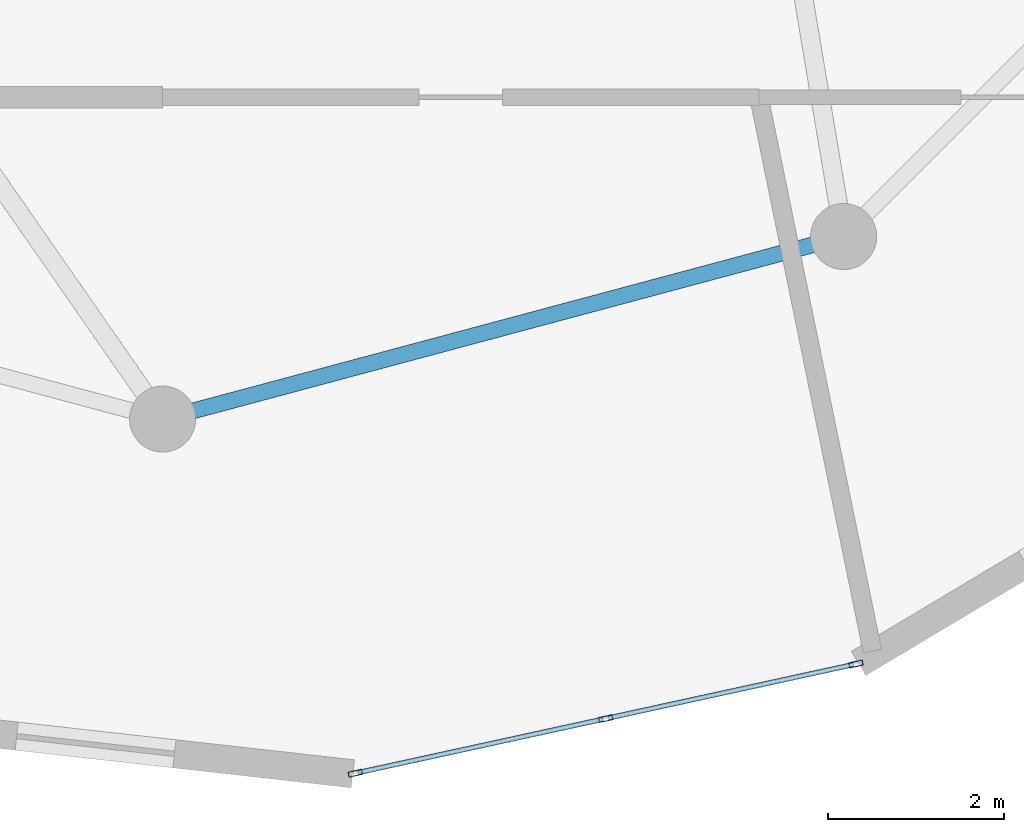
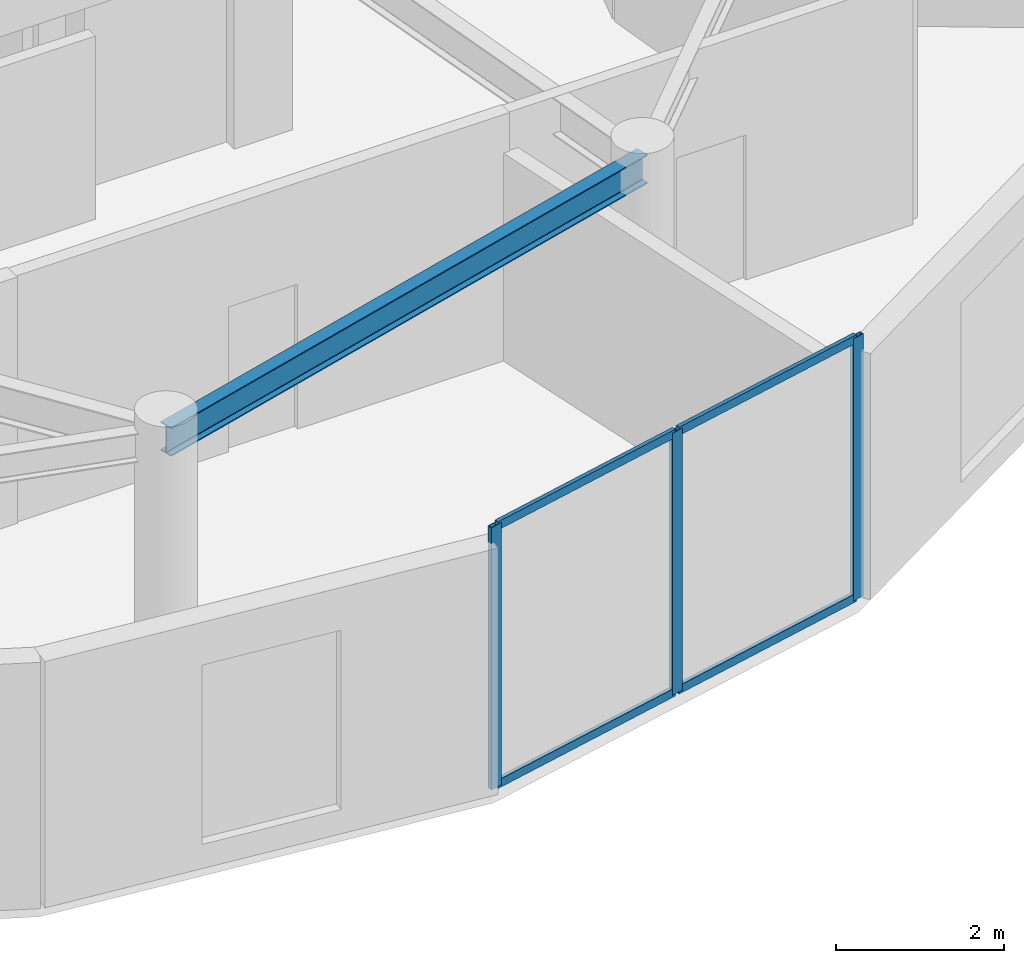
# One storey, part 4 of 15: 7 members, 1 beam, 1 element without a shape of its own.
"""IFC4 building model written with IfcOpenShell, lengths in metres."""

from ifc_helpers import new_model, si_unit, direction, frame, origin, origin_2d, place, context, subcontext, project, spatial, hollow_rectangle, i_section, extrude, source, transform, mapped, material, layer, layer_set, material_profile, profile_set, type_object, element, aggregate, save


model = new_model("IFC4")

# Units and contexts
model_context = context("Model", 3, precision=1e-05, world=origin(), true_north=direction((0.0, 1.0)))
body_context = subcontext(model_context, "Body", "Model", "MODEL_VIEW")
ifc_project = project(units=[si_unit("LENGTHUNIT", "METRE"), si_unit("AREAUNIT", "SQUARE_METRE"), si_unit("VOLUMEUNIT", "CUBIC_METRE"), si_unit("PLANEANGLEUNIT", "RADIAN"), si_unit("MASSUNIT", "GRAM", prefix="KILO")], contexts=[model_context])

# Site, building, storey
site_placement = place(None, origin())
site = spatial("IfcSite", under=ifc_project, at=site_placement, CompositionType="ELEMENT")
building_placement = place(site_placement, origin())
building = spatial("IfcBuilding", under=site, at=building_placement, Name="Solvirekh Grand Hotel", CompositionType="ELEMENT")
storey_placement = place(building_placement, frame((0.0, 0.0, 270.60009765625)))
storey = spatial("IfcBuildingStorey", under=building, at=storey_placement, Name="L70", CompositionType="ELEMENT", Elevation=270.60009765625)

# Beam
ifc_material_1 = material(Name="Steel S355", Category="steel")
ifc_material_profile_1 = material_profile(ifc_material_1, i_section(OverallWidth=0.180908203125, OverallDepth=0.4169921875, WebThickness=0.010009765625, FlangeThickness=0.01611328125, FilletRadius=0.011962890625, at=origin_2d()), Name="W410X85")
ifc_profile_set_1 = profile_set([ifc_material_profile_1], Name="Steel S355")
beam_type = type_object("IfcBeamType", Name="Spandrel_Ring_W410", PredefinedType="SPANDREL", material=ifc_profile_set_1)
beam_placement = place(storey_placement, frame((0.0, -15.449951171875, 3.36181640625), z_axis=(0.965921616143, 0.258834757072, 0.0), x_axis=(-0.258834757072, 0.965921616143, 0.0)))
element("IfcBeam", 1, at=beam_placement, inside=storey, type_object=beam_type, Name="L70 perimeter spandrel beam 10", PredefinedType="SPANDREL", context=body_context, shape_type="SweptSolid", body=[
    extrude(i_section(OverallWidth=0.180908203125, OverallDepth=0.4169921875, WebThickness=0.010009765625, FlangeThickness=0.01611328125, FilletRadius=0.011962890625, at=origin_2d()), origin(), (0.0, 0.0, 1.0), 7.99755859375),
])

# Curtain wall, members
ifc_material_2 = material(Name="Anodized Bronze Aluminium 6063-T6", Category="aluminium")
ifc_layer = layer(ifc_material_2, 0.159912109375)
ifc_layer_set = layer_set([ifc_layer], Name="Anodized Bronze Aluminium 6063-T6")
curtain_wall_type = type_object("IfcCurtainWallType", Name="CW_Sys4_HighZoneFlushBronzeCW", PredefinedType="NOTDEFINED", material=ifc_layer_set)
curtain_wall_placement = place(storey_placement, origin())
curtain_wall = element("IfcCurtainWall", 2, at=curtain_wall_placement, inside=storey, type_object=curtain_wall_type, Name="L70 unitised bronze-glass curtain wall CW-L70-C01", PredefinedType="NOTDEFINED")
ifc_material_profile_2 = material_profile(ifc_material_2, hollow_rectangle(XDim=0.054931640625, YDim=0.1201171875, WallThickness=0.00390625, at=origin_2d()), Name="ALU RHS 120X55X4")
ifc_profile_set_2 = profile_set([ifc_material_profile_2], Name="Anodized Bronze Aluminium 6063-T6")
member_type_1 = type_object("IfcMemberType", Name="CWTransom_Sys4", PredefinedType="USERDEFINED", material=ifc_profile_set_2)
shared_shape_1 = source(origin(), body_context, "Body", "SweptSolid", [
    extrude(hollow_rectangle(XDim=0.054931640625, YDim=0.1201171875, WallThickness=0.00390625, at=origin_2d()), origin(), (0.0, 0.0, 1.0), 2.845947265625),
])
member_1_placement = place(storey_placement, frame((2.215576171875, -19.461181640625, 0.02734375), z_axis=(0.977013487451, 0.213177497262, 0.0), x_axis=(-0.213177497262, 0.977013487451, 0.0)))
member_1 = element("IfcMember", 3, at=member_1_placement, type_object=member_type_1, Name="U04 transom 1.1", ObjectType="TRANSOM", PredefinedType="USERDEFINED", context=body_context, shape_type="MappedRepresentation", body=[
    mapped(shared_shape_1, transform((0.0, 0.0, 0.0), x_axis=(1.0, 0.0, 0.0), y_axis=(0.0, 1.0, 0.0), z_axis=(0.0, 0.0, 1.0), scale=1.0)),
])
member_2_placement = place(storey_placement, frame((2.215576171875, -19.461181640625, 3.7724609375), z_axis=(0.977013487451, 0.213177497262, 0.0), x_axis=(-0.213177497262, 0.977013487451, 0.0)))
member_2 = element("IfcMember", 4, at=member_2_placement, type_object=member_type_1, Name="U04 transom 1.2", ObjectType="TRANSOM", PredefinedType="USERDEFINED", context=body_context, shape_type="MappedRepresentation", body=[
    mapped(shared_shape_1, transform((0.0, 0.0, 0.0), x_axis=(1.0, 0.0, 0.0), y_axis=(0.0, 1.0, 0.0), z_axis=(0.0, 0.0, 1.0), scale=1.0)),
])
member_3_placement = place(storey_placement, frame((5.054931640625, -18.841552734375, 0.02734375), z_axis=(0.977013487451, 0.213177497262, 0.0), x_axis=(-0.213177497262, 0.977013487451, 0.0)))
member_3 = element("IfcMember", 5, at=member_3_placement, type_object=member_type_1, Name="U04 transom 2.1", ObjectType="TRANSOM", PredefinedType="USERDEFINED", context=body_context, shape_type="MappedRepresentation", body=[
    mapped(shared_shape_1, transform((0.0, 0.0, 0.0), x_axis=(1.0, 0.0, 0.0), y_axis=(0.0, 1.0, 0.0), z_axis=(0.0, 0.0, 1.0), scale=1.0)),
])
member_4_placement = place(storey_placement, frame((5.054931640625, -18.841552734375, 3.7724609375), z_axis=(0.977013487451, 0.213177497262, 0.0), x_axis=(-0.213177497262, 0.977013487451, 0.0)))
member_4 = element("IfcMember", 6, at=member_4_placement, type_object=member_type_1, Name="U04 transom 2.2", ObjectType="TRANSOM", PredefinedType="USERDEFINED", context=body_context, shape_type="MappedRepresentation", body=[
    mapped(shared_shape_1, transform((0.0, 0.0, 0.0), x_axis=(1.0, 0.0, 0.0), y_axis=(0.0, 1.0, 0.0), z_axis=(0.0, 0.0, 1.0), scale=1.0)),
])
ifc_material_profile_3 = material_profile(ifc_material_2, hollow_rectangle(XDim=0.06005859375, YDim=0.159912109375, WallThickness=0.0048828125, at=origin_2d()), Name="ALU RHS 160X60X5")
ifc_profile_set_3 = profile_set([ifc_material_profile_3], Name="Anodized Bronze Aluminium 6063-T6")
member_type_2 = type_object("IfcMemberType", Name="CWMullion_Sys4", PredefinedType="MULLION", material=ifc_profile_set_3)
shared_shape_2 = source(origin(), body_context, "Body", "SweptSolid", [
    extrude(hollow_rectangle(XDim=0.06005859375, YDim=0.159912109375, WallThickness=0.0048828125, at=origin_2d()), origin(), (0.0, 0.0, 1.0), 3.7998046875),
])
member_5_placement = place(storey_placement, frame((2.186279296875, -19.467529296875, 0.0), z_axis=(0.0, 0.0, 1.0), x_axis=(-0.213214365324, 0.977005442369, 0.0)))
member_5 = element("IfcMember", 7, at=member_5_placement, type_object=member_type_2, Name="U04 mullion 1", PredefinedType="MULLION", context=body_context, shape_type="MappedRepresentation", body=[
    mapped(shared_shape_2, transform((0.0, 0.0, 0.0), x_axis=(1.0, 0.0, 0.0), y_axis=(0.0, 1.0, 0.0), z_axis=(0.0, 0.0, 1.0), scale=1.0)),
])
member_6_placement = place(storey_placement, frame((5.025390625, -18.847900390625, 0.0), z_axis=(0.0, 0.0, 1.0), x_axis=(-0.213214365324, 0.977005442369, 0.0)))
member_6 = element("IfcMember", 8, at=member_6_placement, type_object=member_type_2, Name="U04 mullion 2", PredefinedType="MULLION", context=body_context, shape_type="MappedRepresentation", body=[
    mapped(shared_shape_2, transform((0.0, 0.0, 0.0), x_axis=(1.0, 0.0, 0.0), y_axis=(0.0, 1.0, 0.0), z_axis=(0.0, 0.0, 1.0), scale=1.0)),
])
member_7_placement = place(storey_placement, frame((7.86474609375, -18.228515625, 0.0), z_axis=(0.0, 0.0, 1.0), x_axis=(-0.213214365324, 0.977005442369, 0.0)))
member_7 = element("IfcMember", 9, at=member_7_placement, type_object=member_type_2, Name="U04 mullion 3", PredefinedType="MULLION", context=body_context, shape_type="MappedRepresentation", body=[
    mapped(shared_shape_2, transform((0.0, 0.0, 0.0), x_axis=(1.0, 0.0, 0.0), y_axis=(0.0, 1.0, 0.0), z_axis=(0.0, 0.0, 1.0), scale=1.0)),
])
aggregate(curtain_wall, [member_5, member_6, member_7, member_1, member_2, member_3, member_4])

save(model, "model.ifc")
